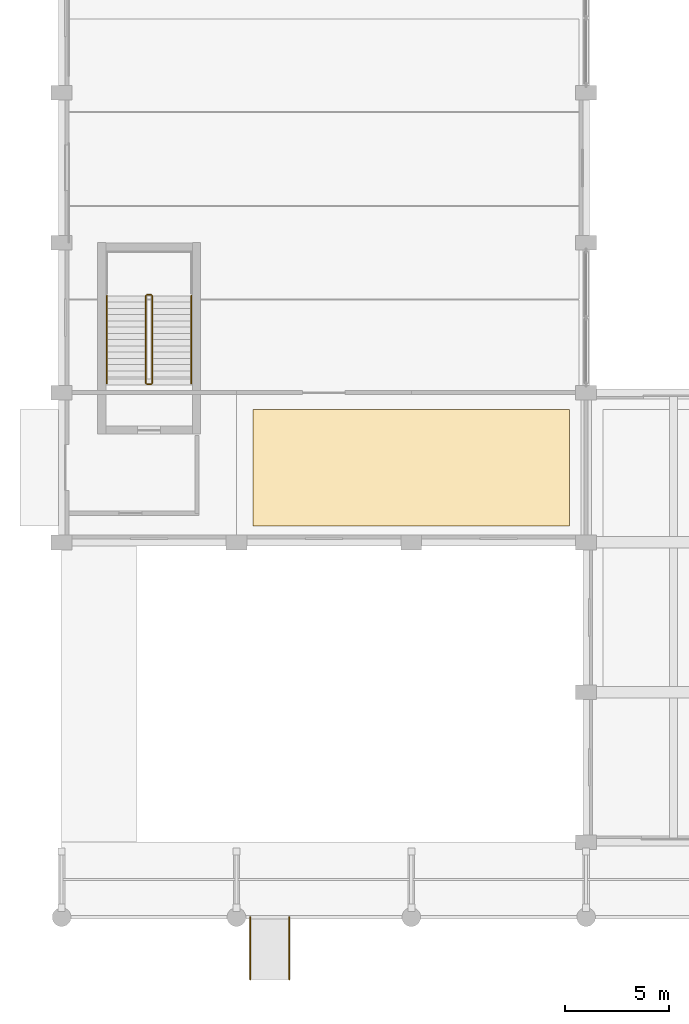
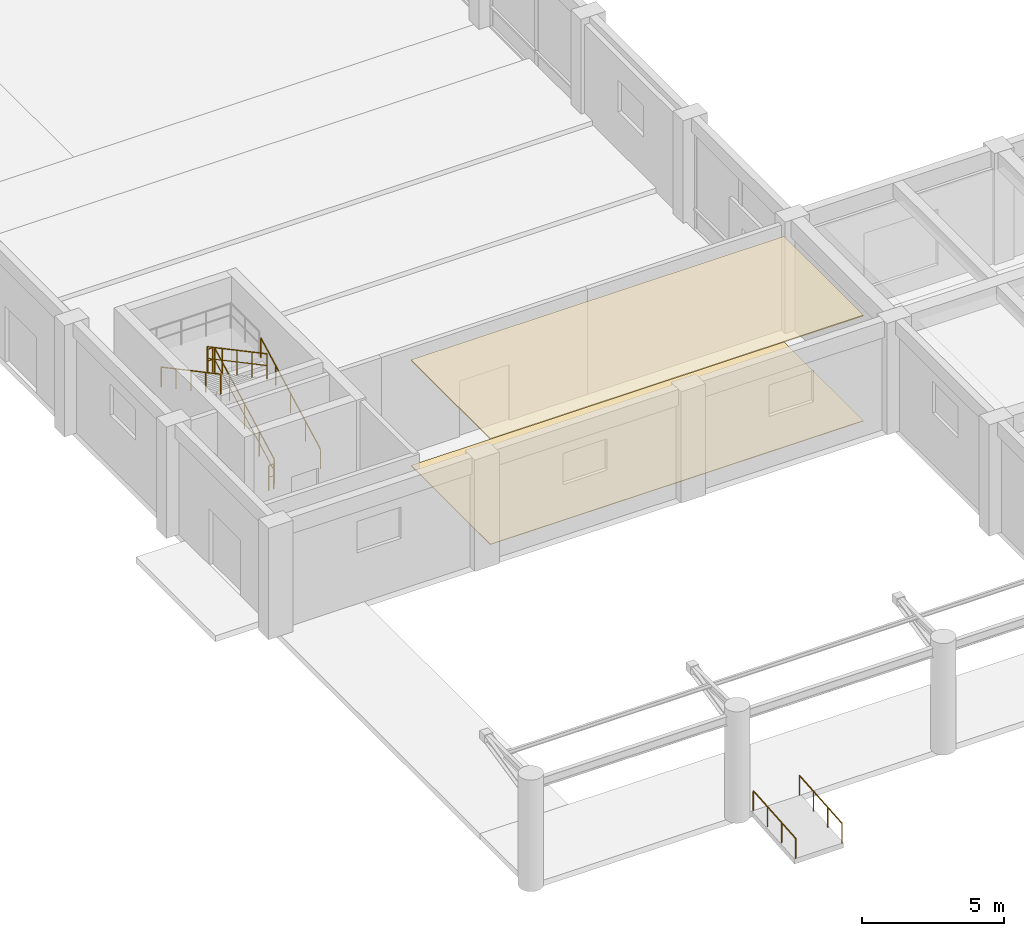
# One storey, part 38 of 49: 8 railings, 2 coverings.
"""IFC4 building model written with IfcOpenShell, lengths in metres."""

from ifc_helpers import new_model, si_unit, direction, frame, origin, origin_2d, place, context, subcontext, project, spatial, polyline, circle, outline, extrude, material, layer, layer_set, type_object, element, save


model = new_model("IFC4")

# Units and contexts
model_context = context("Model", 3, precision=1e-05, world=origin(), true_north=direction((0.0, 1.0)))
body_context = subcontext(model_context, "Body", "Model", "MODEL_VIEW")
ifc_project = project(units=[si_unit("LENGTHUNIT", "METRE"), si_unit("AREAUNIT", "SQUARE_METRE"), si_unit("VOLUMEUNIT", "CUBIC_METRE"), si_unit("PLANEANGLEUNIT", "RADIAN"), si_unit("MASSUNIT", "GRAM", prefix="KILO")], contexts=[model_context])

# Site, building, storey
site_placement = place(None, origin())
site = spatial("IfcSite", under=ifc_project, at=site_placement, CompositionType="ELEMENT")
building_placement = place(site_placement, origin())
building = spatial("IfcBuilding", under=site, at=building_placement, Name="Kenerak Square Central Library", CompositionType="ELEMENT")
storey_placement = place(building_placement, origin())
storey = spatial("IfcBuildingStorey", under=building, at=storey_placement, Name="L00", CompositionType="ELEMENT", Elevation=0.0)

# Coverings
ifc_material_1 = material(Name="Chengal hardwood timber SG1", Category="wood")
ifc_layer_1 = layer(ifc_material_1, 0.044921875)
ifc_layer_set_1 = layer_set([ifc_layer_1], Name="Chengal hardwood timber SG1")
covering_type_1 = type_object("IfcCoveringType", Name="Perforated Chengal Acoustic Ceiling CV-CEIL", PredefinedType="CEILING", material=ifc_layer_set_1)
covering_1_placement = place(storey_placement, frame((0.0, 0.0, 4.530029296875)))
element("IfcCovering", 1, at=covering_1_placement, inside=storey, type_object=covering_type_1, Name="Acoustic Ceiling L00-09", PredefinedType="CEILING", context=body_context, shape_type="SweptSolid", body=[
    extrude(outline(polyline([(17.199951171875, 37.60009765625), (32.39990234375, 37.60009765625), (32.39990234375, 32.0), (17.199951171875, 32.0), (17.199951171875, 37.60009765625)])), origin(), (0.0, 0.0, 1.0), 0.044921875),
])
ifc_material_2 = material(Name="Polished granite aggregate terrazzo", Category="masonry")
ifc_layer_2 = layer(ifc_material_2, 0.02490234375)
ifc_layer_set_2 = layer_set([ifc_layer_2], Name="Polished granite aggregate terrazzo")
covering_type_2 = type_object("IfcCoveringType", Name="Polished Terrazzo Reading Floor Finish CV-FLR", PredefinedType="FLOORING", material=ifc_layer_set_2)
covering_2_placement = place(storey_placement, origin())
element("IfcCovering", 2, at=covering_2_placement, inside=storey, type_object=covering_type_2, Name="Terrazzo Floor Finish L00-09", PredefinedType="FLOORING", context=body_context, shape_type="SweptSolid", body=[
    extrude(outline(polyline([(17.199951171875, 37.60009765625), (32.39990234375, 37.60009765625), (32.39990234375, 32.0), (17.199951171875, 32.0), (17.199951171875, 37.60009765625)])), origin(), (0.0, 0.0, 1.0), 0.02490234375),
])

# Railings
ifc_material_3 = material(Name="Steel S355", Category="steel")
railing_type_1 = type_object("IfcRailingType", Name="Safety Guardrail GR-1100 S355", PredefinedType="GUARDRAIL", material=ifc_material_3)
railing_1_placement = place(storey_placement, frame((12.35009765625, 38.85009765625, 0.159912109375)))
element("IfcRailing", 3, at=railing_1_placement, inside=storey, type_object=railing_type_1, Name="L00 ST-06 stair guard 1", PredefinedType="GUARDRAIL", context=body_context, shape_type="SweptSolid", body=[
    extrude(circle(Radius=0.02392578125, at=origin_2d()), frame((0.0, 0.0, 1.076171875), z_axis=(0.0, 0.882351521365, 0.470590897432), x_axis=(-1.0, 0.0, 0.0)), (0.0, 0.0, 1.0), 4.760009765625),
    extrude(circle(Radius=0.01806640625, at=origin_2d()), frame((0.0, 0.0, 0.572021484375), z_axis=(0.0, 0.882351521365, 0.470590897432), x_axis=(-1.0, 0.0, 0.0)), (0.0, 0.0, 1.0), 4.760009765625),
    extrude(circle(Radius=0.02099609375, at=origin_2d()), origin(), (0.0, 0.0, 1.0), 1.052001953125),
    extrude(circle(Radius=0.02099609375, at=origin_2d()), frame((0.0, 1.050048828125, 0.56005859375)), (0.0, 0.0, 1.0), 1.052001953125),
    extrude(circle(Radius=0.02099609375, at=origin_2d()), frame((0.0, 2.10009765625, 1.1201171875)), (0.0, 0.0, 1.0), 1.052001953125),
    extrude(circle(Radius=0.02099609375, at=origin_2d()), frame((0.0, 3.14990234375, 1.679931640625)), (0.0, 0.0, 1.0), 1.052001953125),
    extrude(circle(Radius=0.02099609375, at=origin_2d()), frame((0.0, 4.199951171875, 2.239990234375)), (0.0, 0.0, 1.0), 1.052001953125),
])
railing_2_placement = place(storey_placement, frame((12.300048828125, 43.10009765625, 2.39990234375)))
element("IfcRailing", 4, at=railing_2_placement, inside=storey, type_object=railing_type_1, Name="L00 ST-06 stair guard 2", PredefinedType="GUARDRAIL", context=body_context, shape_type="SweptSolid", body=[
    extrude(circle(Radius=0.02392578125, at=origin_2d()), frame((0.0, 0.0, 1.076171875), z_axis=(-1.0, 0.0, 0.0), x_axis=(0.0, -1.0, 0.0)), (0.0, 0.0, 1.0), 0.199951171875),
    extrude(circle(Radius=0.01806640625, at=origin_2d()), frame((0.0, 0.0, 0.572021484375), z_axis=(-1.0, 0.0, 0.0), x_axis=(0.0, -1.0, 0.0)), (0.0, 0.0, 1.0), 0.199951171875),
    extrude(circle(Radius=0.02099609375, at=origin_2d()), origin(), (0.0, 0.0, 1.0), 1.052001953125),
    extrude(circle(Radius=0.02099609375, at=origin_2d()), frame((-0.199951171875, 0.0, 0.0)), (0.0, 0.0, 1.0), 1.052001953125),
])
railing_3_placement = place(storey_placement, frame((12.050048828125, 43.050048828125, 2.56005859375)))
element("IfcRailing", 5, at=railing_3_placement, inside=storey, type_object=railing_type_1, Name="L00 ST-06 stair guard 3", PredefinedType="GUARDRAIL", context=body_context, shape_type="SweptSolid", body=[
    extrude(circle(Radius=0.02392578125, at=origin_2d()), frame((0.0, 0.0, 1.076171875), z_axis=(0.0, -0.882351521365, 0.470590897432), x_axis=(1.0, 0.0, 0.0)), (0.0, 0.0, 1.0), 4.760009765625),
    extrude(circle(Radius=0.01806640625, at=origin_2d()), frame((0.0, 0.0, 0.572021484375), z_axis=(0.0, -0.882351521365, 0.470590897432), x_axis=(1.0, 0.0, 0.0)), (0.0, 0.0, 1.0), 4.760009765625),
    extrude(circle(Radius=0.02099609375, at=origin_2d()), origin(), (0.0, 0.0, 1.0), 1.052001953125),
    extrude(circle(Radius=0.02099609375, at=origin_2d()), frame((0.0, -1.050048828125, 0.56005859375)), (0.0, 0.0, 1.0), 1.052001953125),
    extrude(circle(Radius=0.02099609375, at=origin_2d()), frame((0.0, -2.10009765625, 1.1201171875)), (0.0, 0.0, 1.0), 1.052001953125),
    extrude(circle(Radius=0.02099609375, at=origin_2d()), frame((0.0, -3.14990234375, 1.679931640625)), (0.0, 0.0, 1.0), 1.052001953125),
    extrude(circle(Radius=0.02099609375, at=origin_2d()), frame((0.0, -4.199951171875, 2.239990234375)), (0.0, 0.0, 1.0), 1.052001953125),
])
railing_4_placement = place(storey_placement, frame((12.300048828125, 38.800048828125, 0.0)))
element("IfcRailing", 6, at=railing_4_placement, inside=storey, type_object=railing_type_1, Name="L00 ST-06 stair guard 4", PredefinedType="GUARDRAIL", context=body_context, shape_type="SweptSolid", body=[
    extrude(circle(Radius=0.02392578125, at=origin_2d()), frame((0.0, 0.0, 1.076171875), z_axis=(-1.0, 0.0, 0.0), x_axis=(0.0, -1.0, 0.0)), (0.0, 0.0, 1.0), 0.199951171875),
    extrude(circle(Radius=0.01806640625, at=origin_2d()), frame((0.0, 0.0, 0.572021484375), z_axis=(-1.0, 0.0, 0.0), x_axis=(0.0, -1.0, 0.0)), (0.0, 0.0, 1.0), 0.199951171875),
    extrude(circle(Radius=0.02099609375, at=origin_2d()), origin(), (0.0, 0.0, 1.0), 1.052001953125),
    extrude(circle(Radius=0.02099609375, at=origin_2d()), frame((-0.199951171875, 0.0, 0.0)), (0.0, 0.0, 1.0), 1.052001953125),
])
railing_type_2 = type_object("IfcRailingType", Name="Stair Handrail HR-880 S355", PredefinedType="HANDRAIL", material=ifc_material_3)
railing_5_placement = place(storey_placement, frame((14.22998046875, 38.85009765625, 0.159912109375)))
element("IfcRailing", 7, at=railing_5_placement, inside=storey, type_object=railing_type_2, Name="L00 ST-06 stair handrail 1", PredefinedType="HANDRAIL", context=body_context, shape_type="SweptSolid", body=[
    extrude(circle(Radius=0.02392578125, at=origin_2d()), frame((0.0, 0.0, 0.85595703125), z_axis=(0.0, 0.882351521365, 0.470590897432), x_axis=(-1.0, 0.0, 0.0)), (0.0, 0.0, 1.0), 4.760009765625),
    extrude(circle(Radius=0.02099609375, at=origin_2d()), origin(), (0.0, 0.0, 1.0), 0.831787109375),
    extrude(circle(Radius=0.02099609375, at=origin_2d()), frame((0.0, 1.050048828125, 0.56005859375)), (0.0, 0.0, 1.0), 0.831787109375),
    extrude(circle(Radius=0.02099609375, at=origin_2d()), frame((0.0, 2.10009765625, 1.1201171875)), (0.0, 0.0, 1.0), 0.831787109375),
    extrude(circle(Radius=0.02099609375, at=origin_2d()), frame((0.0, 3.14990234375, 1.679931640625)), (0.0, 0.0, 1.0), 0.831787109375),
    extrude(circle(Radius=0.02099609375, at=origin_2d()), frame((0.0, 4.199951171875, 2.239990234375)), (0.0, 0.0, 1.0), 0.831787109375),
])
railing_6_placement = place(storey_placement, frame((10.169921875, 43.050048828125, 2.56005859375)))
element("IfcRailing", 8, at=railing_6_placement, inside=storey, type_object=railing_type_2, Name="L00 ST-06 stair handrail 2", PredefinedType="HANDRAIL", context=body_context, shape_type="SweptSolid", body=[
    extrude(circle(Radius=0.02392578125, at=origin_2d()), frame((0.0, 0.0, 0.85595703125), z_axis=(0.0, -0.882351521365, 0.470590897432), x_axis=(1.0, 0.0, 0.0)), (0.0, 0.0, 1.0), 4.760009765625),
    extrude(circle(Radius=0.02099609375, at=origin_2d()), origin(), (0.0, 0.0, 1.0), 0.831787109375),
    extrude(circle(Radius=0.02099609375, at=origin_2d()), frame((0.0, -1.050048828125, 0.56005859375)), (0.0, 0.0, 1.0), 0.831787109375),
    extrude(circle(Radius=0.02099609375, at=origin_2d()), frame((0.0, -2.10009765625, 1.1201171875)), (0.0, 0.0, 1.0), 0.831787109375),
    extrude(circle(Radius=0.02099609375, at=origin_2d()), frame((0.0, -3.14990234375, 1.679931640625)), (0.0, 0.0, 1.0), 0.831787109375),
    extrude(circle(Radius=0.02099609375, at=origin_2d()), frame((0.0, -4.199951171875, 2.239990234375)), (0.0, 0.0, 1.0), 0.831787109375),
])
for number, where, name in (
    (9, (17.06005859375, 10.199951171875, -0.239990234375), "Auditorium Forecourt Accessible Ramp PR-03 Handrail L"),
    (10, (18.93994140625, 10.199951171875, -0.239990234375), "Auditorium Forecourt Accessible Ramp PR-03 Handrail R"),
):
    element("IfcRailing", number, at=place(storey_placement, frame(where)), inside=storey, type_object=railing_type_2, Name=name, PredefinedType="HANDRAIL", context=body_context, shape_type="SweptSolid", body=[
        extrude(circle(Radius=0.02392578125, at=origin_2d()), frame((0.0, 0.0, 0.85595703125), z_axis=(0.0, 0.996815536467, 0.079741998075), x_axis=(-1.0, 0.0, 0.0)), (0.0, 0.0, 1.0), 3.009521484375),
        extrude(circle(Radius=0.02099609375, at=origin_2d()), origin(), (0.0, 0.0, 1.0), 0.831787109375),
        extrude(circle(Radius=0.02099609375, at=origin_2d()), frame((0.0, 1.0, 0.080078125)), (0.0, 0.0, 1.0), 0.831787109375),
        extrude(circle(Radius=0.02099609375, at=origin_2d()), frame((0.0, 2.0, 0.159912109375)), (0.0, 0.0, 1.0), 0.831787109375),
        extrude(circle(Radius=0.02099609375, at=origin_2d()), frame((0.0, 3.0, 0.239990234375)), (0.0, 0.0, 1.0), 0.831787109375),
    ])

save(model, "model.ifc")
